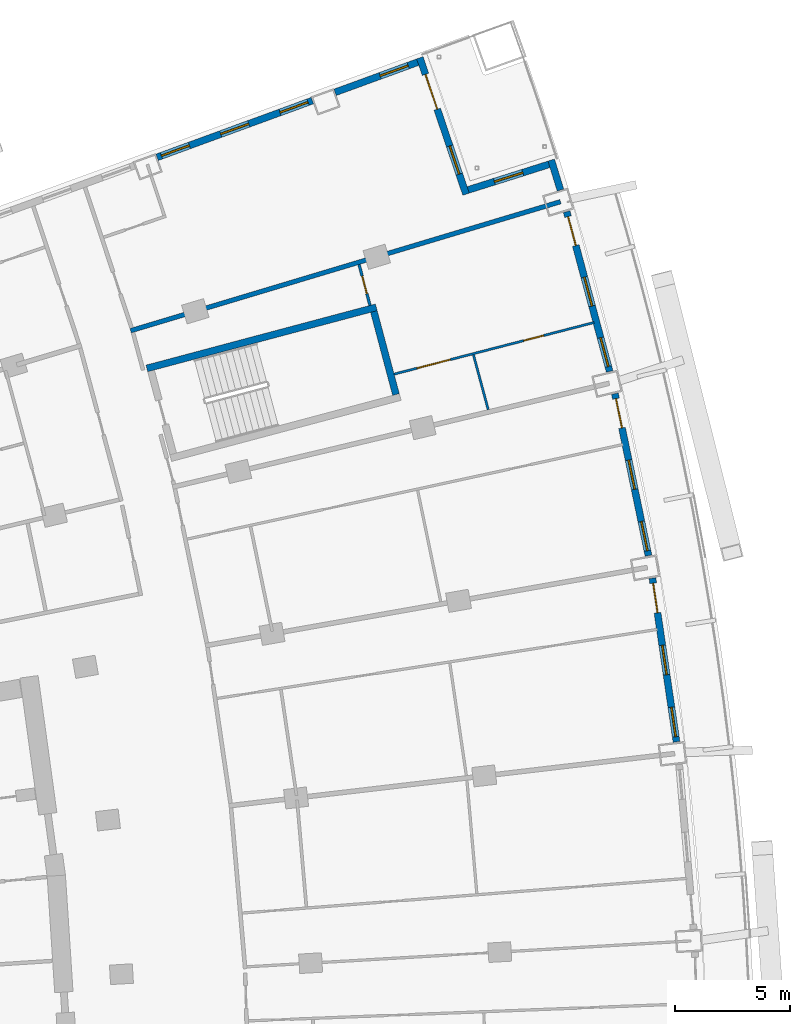
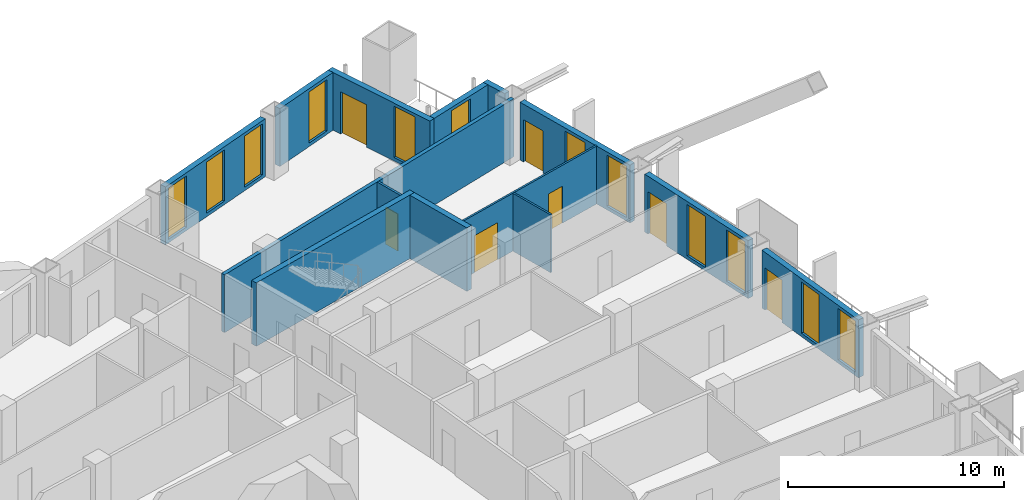
# One storey, part 21 of 25: 14 walls, 12 windows, 7 doors, 19 openings.
"""IFC4 building model written with IfcOpenShell, lengths in metres."""

from ifc_helpers import new_model, si_unit, direction, frame, frame_2d, origin, place, context, subcontext, project, spatial, rectangle, extrude, material, layer, layer_set, type_object, element, fill, save


model = new_model("IFC4")

# Units and contexts
model_context = context("Model", 3, precision=1e-05, world=origin(), true_north=direction((0.0, 1.0)))
body_context = subcontext(model_context, "Body", "Model", "MODEL_VIEW")
ifc_project = project(units=[si_unit("LENGTHUNIT", "METRE"), si_unit("AREAUNIT", "SQUARE_METRE"), si_unit("VOLUMEUNIT", "CUBIC_METRE"), si_unit("PLANEANGLEUNIT", "RADIAN"), si_unit("MASSUNIT", "GRAM", prefix="KILO")], contexts=[model_context])

# Site, building, storey
site_placement = place(None, origin())
site = spatial("IfcSite", under=ifc_project, at=site_placement, CompositionType="ELEMENT")
building_placement = place(site_placement, origin())
building = spatial("IfcBuilding", under=site, at=building_placement, Name="Alderwake Tower", CompositionType="ELEMENT")
storey_placement = place(building_placement, frame((0.0, 0.0, 114.800048828125)))
storey = spatial("IfcBuildingStorey", under=building, at=storey_placement, Name="L28", CompositionType="ELEMENT", Elevation=114.800048828125)

# Walls
ifc_material_1 = material(Name="Concrete C70/85", Category="concrete")
ifc_layer_1 = layer(ifc_material_1, 0.300048828125)
ifc_layer_set_1 = layer_set([ifc_layer_1], Name="Core wall stair enclosure 300 C70-85")
wall_type_1 = type_object("IfcWallType", Name="Core wall stair enclosure 300 C70-85", PredefinedType="SHEAR", material=ifc_layer_set_1)
wall_1_placement = place(storey_placement, frame((36.71142578125, 94.182373046875, 0.0), z_axis=(0.0, 0.0, 1.0), x_axis=(0.966309214305, 0.257383958996, 0.0)))
element("IfcWall", 1, at=wall_1_placement, inside=storey, type_object=wall_type_1, Name="Core wall CW.082", PredefinedType="SHEAR", context=body_context, shape_type="SweptSolid", body=[
    extrude(rectangle(XDim=10.360107421875, YDim=0.300048828125, at=frame_2d((5.18017578125, 0.0))), origin(), (0.0, 0.0, 1.0), 3.599853515625),
])
wall_2_placement = place(storey_placement, frame((47.581298828125, 93.041748046875, 0.0), z_axis=(0.0, 0.0, 1.0), x_axis=(-0.257366821694, 0.966313778796, 0.0)))
element("IfcWall", 2, at=wall_2_placement, inside=storey, type_object=wall_type_1, Name="Core wall CW.081", PredefinedType="SHEAR", context=body_context, shape_type="SweptSolid", body=[
    extrude(rectangle(XDim=3.749755859375, YDim=0.300048828125, at=frame_2d((1.875, 0.0))), origin(), (0.0, 0.0, 1.0), 3.599853515625),
])

# Wall, openings, door, windows
ifc_material_2 = material(Name="Precast concrete C50/60 spandrel panel", Category="concrete")
ifc_layer_2 = layer(ifc_material_2, 0.300048828125)
ifc_layer_set_2 = layer_set([ifc_layer_2], Name="External wall EW1 Precast concrete C50/60 spandrel")
wall_type_2 = type_object("IfcWallType", Name="External wall EW1 Precast concrete C50/60 spandrel", PredefinedType="SOLIDWALL", material=ifc_layer_set_2)
wall_3_placement = place(storey_placement, frame((59.820068359375, 77.888916015625, 0.0), z_axis=(0.0, 0.0, 1.0), x_axis=(-0.145322588421, 0.989384326384, 0.0)))
wall_3 = element("IfcWall", 3, at=wall_3_placement, inside=storey, type_object=wall_type_2, Name="External wall 19", PredefinedType="SOLIDWALL", context=body_context, shape_type="SweptSolid", body=[
    extrude(rectangle(XDim=7.21728515625, YDim=0.300048828125, at=frame_2d((3.608642578125, 0.0))), origin(), (0.0, 0.0, 1.0), 3.280029296875),
])
opening_1_placement = place(wall_3_placement, frame((0.22509765625, 0.0, 0.199951171875)))
opening_1 = element("IfcOpeningElement", 4, at=opening_1_placement, cuts=wall_3, Name="Opening W1", PredefinedType="OPENING", context=body_context, shape_type="SweptSolid", body=[
    extrude(rectangle(XDim=1.300048828125, YDim=2.89990234375, at=frame_2d((0.64990234375, 1.449951171875))), frame((0.0, 0.159912109375, 0.0), z_axis=(0.0, -1.0, 0.0), x_axis=(1.0, 0.0, 0.0)), (0.0, 0.0, 1.0), 0.320068359375),
])
opening_2_placement = place(wall_3_placement, frame((2.958740234375, 0.0, 0.199951171875)))
opening_2 = element("IfcOpeningElement", 5, at=opening_2_placement, cuts=wall_3, Name="Opening W1", PredefinedType="OPENING", context=body_context, shape_type="SweptSolid", body=[
    extrude(rectangle(XDim=1.300048828125, YDim=2.89990234375, at=frame_2d((0.64990234375, 1.449951171875))), frame((0.0, 0.159912109375, 0.0), z_axis=(0.0, -1.0, 0.0), x_axis=(1.0, 0.0, 0.0)), (0.0, 0.0, 1.0), 0.320068359375),
])
opening_3_placement = place(wall_3_placement, frame((5.692138671875, 0.0, 0.0)))
opening_3 = element("IfcOpeningElement", 6, at=opening_3_placement, cuts=wall_3, Name="Opening D10", PredefinedType="OPENING", context=body_context, shape_type="SweptSolid", body=[
    extrude(rectangle(XDim=1.300048828125, YDim=2.39990234375, at=frame_2d((0.64990234375, 1.199951171875))), frame((0.0, 0.159912109375, 0.0), z_axis=(0.0, -1.0, 0.0), x_axis=(1.0, 0.0, 0.0)), (0.0, 0.0, 1.0), 0.320068359375),
])
ifc_material_3 = material(Name="Bronze tinted glass in aluminium frame", Category="aluminium")
door_type_1 = type_object("IfcDoorType", Name="Balcony door BD sliding", OperationType="SLIDING_TO_LEFT", PredefinedType="DOOR", material=ifc_material_3)
door_1_placement = place(opening_3_placement, origin())
door_1 = element("IfcDoor", 7, at=door_1_placement, inside=storey, type_object=door_type_1, Name="Door D10", OperationType="SLIDING_TO_LEFT", OverallHeight=2.39990234375, OverallWidth=1.300048828125, PredefinedType="DOOR", context=body_context, shape_type="SweptSolid", body=[
    extrude(rectangle(XDim=1.300048828125, YDim=2.39990234375, at=frame_2d((0.64990234375, 1.199951171875))), frame((0.0, 0.02490234375, 0.0), z_axis=(0.0, -1.0, 0.0), x_axis=(1.0, 0.0, 0.0)), (0.0, 0.0, 1.0), 0.050048828125),
])
fill(opening_3, door_1)
ifc_material_4 = material(Name="Bronze tinted glass in aluminium frame", Category="aluminium")
window_type = type_object("IfcWindowType", Name="Window W1 tall fixed and vent", PartitioningType="DOUBLE_PANEL_VERTICAL", PredefinedType="WINDOW", material=ifc_material_4)
window_1_placement = place(opening_1_placement, origin())
window_1 = element("IfcWindow", 8, at=window_1_placement, inside=storey, type_object=window_type, Name="Window W1 tall fixed and vent", OverallHeight=2.89990234375, OverallWidth=1.300048828125, PartitioningType="DOUBLE_PANEL_VERTICAL", PredefinedType="WINDOW", context=body_context, shape_type="SweptSolid", body=[
    extrude(rectangle(XDim=1.300048828125, YDim=2.89990234375, at=frame_2d((0.64990234375, 1.449951171875))), frame((0.0, 0.030029296875, 0.0), z_axis=(0.0, -1.0, 0.0), x_axis=(1.0, 0.0, 0.0)), (0.0, 0.0, 1.0), 0.06005859375),
])
fill(opening_1, window_1)
window_2_placement = place(opening_2_placement, origin())
window_2 = element("IfcWindow", 9, at=window_2_placement, inside=storey, type_object=window_type, Name="Window W1 tall fixed and vent", OverallHeight=2.89990234375, OverallWidth=1.300048828125, PartitioningType="DOUBLE_PANEL_VERTICAL", PredefinedType="WINDOW", context=body_context, shape_type="SweptSolid", body=[
    extrude(rectangle(XDim=1.300048828125, YDim=2.89990234375, at=frame_2d((0.64990234375, 1.449951171875))), frame((0.0, 0.030029296875, 0.0), z_axis=(0.0, -1.0, 0.0), x_axis=(1.0, 0.0, 0.0)), (0.0, 0.0, 1.0), 0.06005859375),
])
fill(opening_2, window_2)

wall_4_placement = place(storey_placement, frame((58.59765625, 86.01171875, 0.0), z_axis=(0.0, 0.0, 1.0), x_axis=(-0.202759964429, 0.979228470187, 0.0)))
wall_4 = element("IfcWall", 10, at=wall_4_placement, inside=storey, type_object=wall_type_2, Name="External wall 20", PredefinedType="SOLIDWALL", context=body_context, shape_type="SweptSolid", body=[
    extrude(rectangle(XDim=7.21728515625, YDim=0.300048828125, at=frame_2d((3.608642578125, 0.0))), origin(), (0.0, 0.0, 1.0), 3.280029296875),
])
opening_4_placement = place(wall_4_placement, frame((0.22509765625, 0.0, 0.199951171875)))
opening_4 = element("IfcOpeningElement", 11, at=opening_4_placement, cuts=wall_4, Name="Opening W1", PredefinedType="OPENING", context=body_context, shape_type="SweptSolid", body=[
    extrude(rectangle(XDim=1.300048828125, YDim=2.89990234375, at=frame_2d((0.64990234375, 1.449951171875))), frame((0.0, 0.159912109375, 0.0), z_axis=(0.0, -1.0, 0.0), x_axis=(1.0, 0.0, 0.0)), (0.0, 0.0, 1.0), 0.320068359375),
])
opening_5_placement = place(wall_4_placement, frame((2.958740234375, 0.0, 0.199951171875)))
opening_5 = element("IfcOpeningElement", 12, at=opening_5_placement, cuts=wall_4, Name="Opening W1", PredefinedType="OPENING", context=body_context, shape_type="SweptSolid", body=[
    extrude(rectangle(XDim=1.300048828125, YDim=2.89990234375, at=frame_2d((0.64990234375, 1.449951171875))), frame((0.0, 0.159912109375, 0.0), z_axis=(0.0, -1.0, 0.0), x_axis=(1.0, 0.0, 0.0)), (0.0, 0.0, 1.0), 0.320068359375),
])
opening_6_placement = place(wall_4_placement, frame((5.692138671875, 0.0, 0.0)))
opening_6 = element("IfcOpeningElement", 13, at=opening_6_placement, cuts=wall_4, Name="Opening D11", PredefinedType="OPENING", context=body_context, shape_type="SweptSolid", body=[
    extrude(rectangle(XDim=1.300048828125, YDim=2.39990234375, at=frame_2d((0.64990234375, 1.199951171875))), frame((0.0, 0.159912109375, 0.0), z_axis=(0.0, -1.0, 0.0), x_axis=(1.0, 0.0, 0.0)), (0.0, 0.0, 1.0), 0.320068359375),
])
door_2_placement = place(opening_6_placement, origin())
door_2 = element("IfcDoor", 14, at=door_2_placement, inside=storey, type_object=door_type_1, Name="Door D11", OperationType="SLIDING_TO_LEFT", OverallHeight=2.39990234375, OverallWidth=1.300048828125, PredefinedType="DOOR", context=body_context, shape_type="SweptSolid", body=[
    extrude(rectangle(XDim=1.300048828125, YDim=2.39990234375, at=frame_2d((0.64990234375, 1.199951171875))), frame((0.0, 0.02490234375, 0.0), z_axis=(0.0, -1.0, 0.0), x_axis=(1.0, 0.0, 0.0)), (0.0, 0.0, 1.0), 0.050048828125),
])
fill(opening_6, door_2)
window_3_placement = place(opening_4_placement, origin())
window_3 = element("IfcWindow", 15, at=window_3_placement, inside=storey, type_object=window_type, Name="Window W1 tall fixed and vent", OverallHeight=2.89990234375, OverallWidth=1.300048828125, PartitioningType="DOUBLE_PANEL_VERTICAL", PredefinedType="WINDOW", context=body_context, shape_type="SweptSolid", body=[
    extrude(rectangle(XDim=1.300048828125, YDim=2.89990234375, at=frame_2d((0.64990234375, 1.449951171875))), frame((0.0, 0.030029296875, 0.0), z_axis=(0.0, -1.0, 0.0), x_axis=(1.0, 0.0, 0.0)), (0.0, 0.0, 1.0), 0.06005859375),
])
fill(opening_4, window_3)
window_4_placement = place(opening_5_placement, origin())
window_4 = element("IfcWindow", 16, at=window_4_placement, inside=storey, type_object=window_type, Name="Window W1 tall fixed and vent", OverallHeight=2.89990234375, OverallWidth=1.300048828125, PartitioningType="DOUBLE_PANEL_VERTICAL", PredefinedType="WINDOW", context=body_context, shape_type="SweptSolid", body=[
    extrude(rectangle(XDim=1.300048828125, YDim=2.89990234375, at=frame_2d((0.64990234375, 1.449951171875))), frame((0.0, 0.030029296875, 0.0), z_axis=(0.0, -1.0, 0.0), x_axis=(1.0, 0.0, 0.0)), (0.0, 0.0, 1.0), 0.06005859375),
])
fill(opening_5, window_4)

wall_5_placement = place(storey_placement, frame((56.90380859375, 94.04931640625, 0.0), z_axis=(0.0, 0.0, 1.0), x_axis=(-0.259514900315, 0.965739103751, 0.0)))
wall_5 = element("IfcWall", 17, at=wall_5_placement, inside=storey, type_object=wall_type_2, Name="External wall 21", PredefinedType="SOLIDWALL", context=body_context, shape_type="SweptSolid", body=[
    extrude(rectangle(XDim=7.217529296875, YDim=0.300048828125, at=frame_2d((3.60888671875, 0.0))), origin(), (0.0, 0.0, 1.0), 3.280029296875),
])
opening_7_placement = place(wall_5_placement, frame((0.22509765625, 0.0, 0.199951171875)))
opening_7 = element("IfcOpeningElement", 18, at=opening_7_placement, cuts=wall_5, Name="Opening W1", PredefinedType="OPENING", context=body_context, shape_type="SweptSolid", body=[
    extrude(rectangle(XDim=1.300048828125, YDim=2.89990234375, at=frame_2d((0.64990234375, 1.449951171875))), frame((0.0, 0.159912109375, 0.0), z_axis=(0.0, -1.0, 0.0), x_axis=(1.0, 0.0, 0.0)), (0.0, 0.0, 1.0), 0.320068359375),
])
opening_8_placement = place(wall_5_placement, frame((2.958740234375, 0.0, 0.199951171875)))
opening_8 = element("IfcOpeningElement", 19, at=opening_8_placement, cuts=wall_5, Name="Opening W1", PredefinedType="OPENING", context=body_context, shape_type="SweptSolid", body=[
    extrude(rectangle(XDim=1.300048828125, YDim=2.89990234375, at=frame_2d((0.64990234375, 1.449951171875))), frame((0.0, 0.159912109375, 0.0), z_axis=(0.0, -1.0, 0.0), x_axis=(1.0, 0.0, 0.0)), (0.0, 0.0, 1.0), 0.320068359375),
])
opening_9_placement = place(wall_5_placement, frame((5.692138671875, 0.0, 0.0)))
opening_9 = element("IfcOpeningElement", 20, at=opening_9_placement, cuts=wall_5, Name="Opening D12", PredefinedType="OPENING", context=body_context, shape_type="SweptSolid", body=[
    extrude(rectangle(XDim=1.300048828125, YDim=2.39990234375, at=frame_2d((0.64990234375, 1.199951171875))), frame((0.0, 0.159912109375, 0.0), z_axis=(0.0, -1.0, 0.0), x_axis=(1.0, 0.0, 0.0)), (0.0, 0.0, 1.0), 0.320068359375),
])
door_3_placement = place(opening_9_placement, origin())
door_3 = element("IfcDoor", 21, at=door_3_placement, inside=storey, type_object=door_type_1, Name="Door D12", OperationType="SLIDING_TO_LEFT", OverallHeight=2.39990234375, OverallWidth=1.300048828125, PredefinedType="DOOR", context=body_context, shape_type="SweptSolid", body=[
    extrude(rectangle(XDim=1.300048828125, YDim=2.39990234375, at=frame_2d((0.64990234375, 1.199951171875))), frame((0.0, 0.02490234375, 0.0), z_axis=(0.0, -1.0, 0.0), x_axis=(1.0, 0.0, 0.0)), (0.0, 0.0, 1.0), 0.050048828125),
])
fill(opening_9, door_3)
window_5_placement = place(opening_7_placement, origin())
window_5 = element("IfcWindow", 22, at=window_5_placement, inside=storey, type_object=window_type, Name="Window W1 tall fixed and vent", OverallHeight=2.89990234375, OverallWidth=1.300048828125, PartitioningType="DOUBLE_PANEL_VERTICAL", PredefinedType="WINDOW", context=body_context, shape_type="SweptSolid", body=[
    extrude(rectangle(XDim=1.300048828125, YDim=2.89990234375, at=frame_2d((0.64990234375, 1.449951171875))), frame((0.0, 0.030029296875, 0.0), z_axis=(0.0, -1.0, 0.0), x_axis=(1.0, 0.0, 0.0)), (0.0, 0.0, 1.0), 0.06005859375),
])
fill(opening_7, window_5)
window_6_placement = place(opening_8_placement, origin())
window_6 = element("IfcWindow", 23, at=window_6_placement, inside=storey, type_object=window_type, Name="Window W1 tall fixed and vent", OverallHeight=2.89990234375, OverallWidth=1.300048828125, PartitioningType="DOUBLE_PANEL_VERTICAL", PredefinedType="WINDOW", context=body_context, shape_type="SweptSolid", body=[
    extrude(rectangle(XDim=1.300048828125, YDim=2.89990234375, at=frame_2d((0.64990234375, 1.449951171875))), frame((0.0, 0.030029296875, 0.0), z_axis=(0.0, -1.0, 0.0), x_axis=(1.0, 0.0, 0.0)), (0.0, 0.0, 1.0), 0.06005859375),
])
fill(opening_8, window_6)

# Wall
wall_6_placement = place(storey_placement, frame((54.759521484375, 101.9609375, 0.0), z_axis=(0.0, 0.0, 1.0), x_axis=(-0.294435661299, 0.955671304035, 0.0)))
element("IfcWall", 24, at=wall_6_placement, inside=storey, type_object=wall_type_2, Name="External wall 22", PredefinedType="SOLIDWALL", context=body_context, shape_type="SweptSolid", body=[
    extrude(rectangle(XDim=1.373046875, YDim=0.300048828125, at=frame_2d((0.6865234375, 0.0))), origin(), (0.0, 0.0, 1.0), 3.280029296875),
])

# Wall, opening, window
ifc_material_5 = material(Name="Bronze metal cladding on lightweight framing")
ifc_layer_3 = layer(ifc_material_5, 0.300048828125)
ifc_layer_set_3 = layer_set([ifc_layer_3], Name="External wall EW2 bronze metal cladding")
wall_type_3 = type_object("IfcWallType", Name="External wall EW2 bronze metal cladding", PredefinedType="SOLIDWALL", material=ifc_layer_set_3)
wall_7_placement = place(storey_placement, frame((54.25634765625, 103.08447265625, 0.0), z_axis=(0.0, 0.0, 1.0), x_axis=(-0.953466730622, -0.301498248083, 0.0)))
wall_7 = element("IfcWall", 25, at=wall_7_placement, inside=storey, type_object=wall_type_3, Name="External wall 23", PredefinedType="SOLIDWALL", context=body_context, shape_type="SweptSolid", body=[
    extrude(rectangle(XDim=3.694091796875, YDim=0.300048828125, at=frame_2d((1.84716796875, 0.0))), origin(), (0.0, 0.0, 1.0), 3.280029296875),
])
opening_10_placement = place(wall_7_placement, frame((1.197021484375, 0.0, 0.199951171875)))
opening_10 = element("IfcOpeningElement", 26, at=opening_10_placement, cuts=wall_7, Name="Opening W1", PredefinedType="OPENING", context=body_context, shape_type="SweptSolid", body=[
    extrude(rectangle(XDim=1.300048828125, YDim=2.89990234375, at=frame_2d((0.64990234375, 1.449951171875))), frame((0.0, 0.159912109375, 0.0), z_axis=(0.0, -1.0, 0.0), x_axis=(1.0, 0.0, 0.0)), (0.0, 0.0, 1.0), 0.320068359375),
])
window_7_placement = place(opening_10_placement, origin())
window_7 = element("IfcWindow", 27, at=window_7_placement, inside=storey, type_object=window_type, Name="Window W1 tall fixed and vent", OverallHeight=2.89990234375, OverallWidth=1.300048828125, PartitioningType="DOUBLE_PANEL_VERTICAL", PredefinedType="WINDOW", context=body_context, shape_type="SweptSolid", body=[
    extrude(rectangle(XDim=1.300048828125, YDim=2.89990234375, at=frame_2d((0.64990234375, 1.449951171875))), frame((0.0, 0.030029296875, 0.0), z_axis=(0.0, -1.0, 0.0), x_axis=(1.0, 0.0, 0.0)), (0.0, 0.0, 1.0), 0.06005859375),
])
fill(opening_10, window_7)

# Wall, openings, door, window
wall_8_placement = place(storey_placement, frame((50.63916015625, 101.783447265625, 0.0), z_axis=(0.0, 0.0, 1.0), x_axis=(-0.320895814133, 0.947114500191, 0.0)))
wall_8 = element("IfcWall", 28, at=wall_8_placement, inside=storey, type_object=wall_type_3, Name="External wall 24", PredefinedType="SOLIDWALL", context=body_context, shape_type="SweptSolid", body=[
    extrude(rectangle(XDim=6.28662109375, YDim=0.300048828125, at=frame_2d((3.143310546875, 0.0))), origin(), (0.0, 0.0, 1.0), 3.280029296875),
])
opening_11_placement = place(wall_8_placement, frame((0.921630859375, 0.0, 0.199951171875)))
opening_11 = element("IfcOpeningElement", 29, at=opening_11_placement, cuts=wall_8, Name="Opening W1", PredefinedType="OPENING", context=body_context, shape_type="SweptSolid", body=[
    extrude(rectangle(XDim=1.300048828125, YDim=2.89990234375, at=frame_2d((0.64990234375, 1.449951171875))), frame((0.0, 0.159912109375, 0.0), z_axis=(0.0, -1.0, 0.0), x_axis=(1.0, 0.0, 0.0)), (0.0, 0.0, 1.0), 0.320068359375),
])
opening_12_placement = place(wall_8_placement, frame((3.9150390625, 0.0, 0.0)))
opening_12 = element("IfcOpeningElement", 30, at=opening_12_placement, cuts=wall_8, Name="Opening D13", PredefinedType="OPENING", context=body_context, shape_type="SweptSolid", body=[
    extrude(rectangle(XDim=1.60009765625, YDim=2.39990234375, at=frame_2d((0.800048828125, 1.199951171875))), frame((0.0, 0.159912109375, 0.0), z_axis=(0.0, -1.0, 0.0), x_axis=(1.0, 0.0, 0.0)), (0.0, 0.0, 1.0), 0.320068359375),
])
ifc_material_6 = material(Name="Bronze tinted glass in aluminium frame", Category="aluminium")
door_type_2 = type_object("IfcDoorType", Name="Terrace door TD sliding", OperationType="SLIDING_TO_LEFT", PredefinedType="DOOR", material=ifc_material_6)
door_4_placement = place(opening_12_placement, origin())
door_4 = element("IfcDoor", 31, at=door_4_placement, inside=storey, type_object=door_type_2, Name="Door D13", OperationType="SLIDING_TO_LEFT", OverallHeight=2.39990234375, OverallWidth=1.60009765625, PredefinedType="DOOR", context=body_context, shape_type="SweptSolid", body=[
    extrude(rectangle(XDim=1.60009765625, YDim=2.39990234375, at=frame_2d((0.800048828125, 1.199951171875))), frame((0.0, 0.02490234375, 0.0), z_axis=(0.0, -1.0, 0.0), x_axis=(1.0, 0.0, 0.0)), (0.0, 0.0, 1.0), 0.050048828125),
])
fill(opening_12, door_4)
window_8_placement = place(opening_11_placement, origin())
window_8 = element("IfcWindow", 32, at=window_8_placement, inside=storey, type_object=window_type, Name="Window W1 tall fixed and vent", OverallHeight=2.89990234375, OverallWidth=1.300048828125, PartitioningType="DOUBLE_PANEL_VERTICAL", PredefinedType="WINDOW", context=body_context, shape_type="SweptSolid", body=[
    extrude(rectangle(XDim=1.300048828125, YDim=2.89990234375, at=frame_2d((0.64990234375, 1.449951171875))), frame((0.0, 0.030029296875, 0.0), z_axis=(0.0, -1.0, 0.0), x_axis=(1.0, 0.0, 0.0)), (0.0, 0.0, 1.0), 0.06005859375),
])
fill(opening_11, window_8)

# Wall, opening, window
wall_9_placement = place(storey_placement, frame((48.529052734375, 107.544189453125, 0.0), z_axis=(0.0, 0.0, 1.0), x_axis=(-0.939372933228, -0.342897203718, 0.0)))
wall_9 = element("IfcWall", 33, at=wall_9_placement, inside=storey, type_object=wall_type_3, Name="External wall 25", PredefinedType="SOLIDWALL", context=body_context, shape_type="SweptSolid", body=[
    extrude(rectangle(XDim=3.837646484375, YDim=0.300048828125, at=frame_2d((1.9189453125, 0.0))), origin(), (0.0, 0.0, 1.0), 3.280029296875),
])
opening_13_placement = place(wall_9_placement, frame((0.441162109375, 0.0, 0.199951171875)))
opening_13 = element("IfcOpeningElement", 34, at=opening_13_placement, cuts=wall_9, Name="Opening W1", PredefinedType="OPENING", context=body_context, shape_type="SweptSolid", body=[
    extrude(rectangle(XDim=1.300048828125, YDim=2.89990234375, at=frame_2d((0.64990234375, 1.449951171875))), frame((0.0, 0.159912109375, 0.0), z_axis=(0.0, -1.0, 0.0), x_axis=(1.0, 0.0, 0.0)), (0.0, 0.0, 1.0), 0.320068359375),
])
window_9_placement = place(opening_13_placement, origin())
window_9 = element("IfcWindow", 35, at=window_9_placement, inside=storey, type_object=window_type, Name="Window W1 tall fixed and vent", OverallHeight=2.89990234375, OverallWidth=1.300048828125, PartitioningType="DOUBLE_PANEL_VERTICAL", PredefinedType="WINDOW", context=body_context, shape_type="SweptSolid", body=[
    extrude(rectangle(XDim=1.300048828125, YDim=2.89990234375, at=frame_2d((0.64990234375, 1.449951171875))), frame((0.0, 0.030029296875, 0.0), z_axis=(0.0, -1.0, 0.0), x_axis=(1.0, 0.0, 0.0)), (0.0, 0.0, 1.0), 0.06005859375),
])
fill(opening_13, window_9)

# Wall, openings, windows
wall_10_placement = place(storey_placement, frame((43.93408203125, 105.866943359375, 0.0), z_axis=(0.0, 0.0, 1.0), x_axis=(-0.939364762064, -0.342919587939, 0.0)))
wall_10 = element("IfcWall", 36, at=wall_10_placement, inside=storey, type_object=wall_type_3, Name="External wall 26", PredefinedType="SOLIDWALL", context=body_context, shape_type="SweptSolid", body=[
    extrude(rectangle(XDim=7.212646484375, YDim=0.300048828125, at=frame_2d((3.6064453125, 0.0))), origin(), (0.0, 0.0, 1.0), 3.280029296875),
])
opening_14_placement = place(wall_10_placement, frame((0.200927734375, 0.0, 0.199951171875)))
opening_14 = element("IfcOpeningElement", 37, at=opening_14_placement, cuts=wall_10, Name="Opening W1", PredefinedType="OPENING", context=body_context, shape_type="SweptSolid", body=[
    extrude(rectangle(XDim=1.300048828125, YDim=2.89990234375, at=frame_2d((0.64990234375, 1.449951171875))), frame((0.0, 0.159912109375, 0.0), z_axis=(0.0, -1.0, 0.0), x_axis=(1.0, 0.0, 0.0)), (0.0, 0.0, 1.0), 0.320068359375),
])
opening_15_placement = place(wall_10_placement, frame((2.95654296875, 0.0, 0.199951171875)))
opening_15 = element("IfcOpeningElement", 38, at=opening_15_placement, cuts=wall_10, Name="Opening W1", PredefinedType="OPENING", context=body_context, shape_type="SweptSolid", body=[
    extrude(rectangle(XDim=1.300048828125, YDim=2.89990234375, at=frame_2d((0.64990234375, 1.449951171875))), frame((0.0, 0.159912109375, 0.0), z_axis=(0.0, -1.0, 0.0), x_axis=(1.0, 0.0, 0.0)), (0.0, 0.0, 1.0), 0.320068359375),
])
opening_16_placement = place(wall_10_placement, frame((5.712158203125, 0.0, 0.199951171875)))
opening_16 = element("IfcOpeningElement", 39, at=opening_16_placement, cuts=wall_10, Name="Opening W1", PredefinedType="OPENING", context=body_context, shape_type="SweptSolid", body=[
    extrude(rectangle(XDim=1.300048828125, YDim=2.89990234375, at=frame_2d((0.64990234375, 1.449951171875))), frame((0.0, 0.159912109375, 0.0), z_axis=(0.0, -1.0, 0.0), x_axis=(1.0, 0.0, 0.0)), (0.0, 0.0, 1.0), 0.320068359375),
])
window_10_placement = place(opening_14_placement, origin())
window_10 = element("IfcWindow", 40, at=window_10_placement, inside=storey, type_object=window_type, Name="Window W1 tall fixed and vent", OverallHeight=2.89990234375, OverallWidth=1.300048828125, PartitioningType="DOUBLE_PANEL_VERTICAL", PredefinedType="WINDOW", context=body_context, shape_type="SweptSolid", body=[
    extrude(rectangle(XDim=1.300048828125, YDim=2.89990234375, at=frame_2d((0.64990234375, 1.449951171875))), frame((0.0, 0.030029296875, 0.0), z_axis=(0.0, -1.0, 0.0), x_axis=(1.0, 0.0, 0.0)), (0.0, 0.0, 1.0), 0.06005859375),
])
fill(opening_14, window_10)
window_11_placement = place(opening_15_placement, origin())
window_11 = element("IfcWindow", 41, at=window_11_placement, inside=storey, type_object=window_type, Name="Window W1 tall fixed and vent", OverallHeight=2.89990234375, OverallWidth=1.300048828125, PartitioningType="DOUBLE_PANEL_VERTICAL", PredefinedType="WINDOW", context=body_context, shape_type="SweptSolid", body=[
    extrude(rectangle(XDim=1.300048828125, YDim=2.89990234375, at=frame_2d((0.64990234375, 1.449951171875))), frame((0.0, 0.030029296875, 0.0), z_axis=(0.0, -1.0, 0.0), x_axis=(1.0, 0.0, 0.0)), (0.0, 0.0, 1.0), 0.06005859375),
])
fill(opening_15, window_11)
window_12_placement = place(opening_16_placement, origin())
window_12 = element("IfcWindow", 42, at=window_12_placement, inside=storey, type_object=window_type, Name="Window W1 tall fixed and vent", OverallHeight=2.89990234375, OverallWidth=1.300048828125, PartitioningType="DOUBLE_PANEL_VERTICAL", PredefinedType="WINDOW", context=body_context, shape_type="SweptSolid", body=[
    extrude(rectangle(XDim=1.300048828125, YDim=2.89990234375, at=frame_2d((0.64990234375, 1.449951171875))), frame((0.0, 0.030029296875, 0.0), z_axis=(0.0, -1.0, 0.0), x_axis=(1.0, 0.0, 0.0)), (0.0, 0.0, 1.0), 0.06005859375),
])
fill(opening_16, window_12)

# Wall
ifc_material_7 = material(Name="Dense block masonry wall", Category="masonry")
ifc_layer_4 = layer(ifc_material_7, 0.199951171875)
ifc_layer_set_4 = layer_set([ifc_layer_4], Name="Party wall 200")
wall_type_4 = type_object("IfcWallType", Name="Party wall 200", PredefinedType="SOLIDWALL", material=ifc_layer_set_4)
wall_11_placement = place(storey_placement, frame((54.759033203125, 101.45703125, 0.0), z_axis=(0.0, 0.0, 1.0), x_axis=(-0.957773766673, -0.287522889302, 0.0)))
element("IfcWall", 43, at=wall_11_placement, inside=storey, type_object=wall_type_4, Name="WL/L28/W09", PredefinedType="SOLIDWALL", context=body_context, shape_type="SweptSolid", body=[
    extrude(rectangle(XDim=19.58154296875, YDim=0.199951171875, at=frame_2d((9.790771484375, 0.0))), origin(), (0.0, 0.0, 1.0), 3.280029296875),
])

# Wall, openings, doors
ifc_material_8 = material(Name="Gypsum board on metal studs")
ifc_layer_5 = layer(ifc_material_8, 0.10009765625)
ifc_layer_set_5 = layer_set([ifc_layer_5], Name="Unit partition 100")
wall_type_5 = type_object("IfcWallType", Name="Unit partition 100", PredefinedType="PARTITIONING", material=ifc_layer_set_5)
wall_12_placement = place(storey_placement, frame((47.4990234375, 93.93310546875, 0.0), z_axis=(0.0, 0.0, 1.0), x_axis=(0.968256179077, 0.249959940148, 0.0)))
wall_12 = element("IfcWall", 44, at=wall_12_placement, inside=storey, type_object=wall_type_5, Name="WL/L28/W77", PredefinedType="PARTITIONING", context=body_context, shape_type="SweptSolid", body=[
    extrude(rectangle(XDim=9.01318359375, YDim=0.10009765625, at=frame_2d((4.506591796875, 0.0))), origin(), (0.0, 0.0, 1.0), 3.280029296875),
])
opening_17_placement = place(wall_12_placement, frame((1.03173828125, 0.0, 0.0)))
opening_17 = element("IfcOpeningElement", 45, at=opening_17_placement, cuts=wall_12, Name="Opening R08-U02.2", PredefinedType="OPENING", context=body_context, shape_type="SweptSolid", body=[
    extrude(rectangle(XDim=1.5, YDim=2.10009765625, at=frame_2d((0.75, 1.050048828125))), frame((0.0, 0.06005859375, 0.0), z_axis=(0.0, -1.0, 0.0), x_axis=(1.0, 0.0, 0.0)), (0.0, 0.0, 1.0), 0.1201171875),
])
opening_18_placement = place(wall_12_placement, frame((5.838134765625, 0.0, 0.0)))
opening_18 = element("IfcOpeningElement", 46, at=opening_18_placement, cuts=wall_12, Name="Opening R08-U02.3", PredefinedType="OPENING", context=body_context, shape_type="SweptSolid", body=[
    extrude(rectangle(XDim=0.89990234375, YDim=2.10009765625, at=frame_2d((0.449951171875, 1.050048828125))), frame((0.0, 0.06005859375, 0.0), z_axis=(0.0, -1.0, 0.0), x_axis=(1.0, 0.0, 0.0)), (0.0, 0.0, 1.0), 0.1201171875),
])
ifc_material_9 = material(Name="Painted timber leaves", Category="wood")
door_type_3 = type_object("IfcDoorType", Name="Double leaf door 1500", OperationType="DOUBLE_DOOR_SINGLE_SWING", PredefinedType="DOOR", material=ifc_material_9)
door_5_placement = place(opening_17_placement, origin())
door_5 = element("IfcDoor", 47, at=door_5_placement, inside=storey, type_object=door_type_3, Name="DR/L28/U02.2", OperationType="DOUBLE_DOOR_SINGLE_SWING", OverallHeight=2.10009765625, OverallWidth=1.5, PredefinedType="DOOR", context=body_context, shape_type="SweptSolid", body=[
    extrude(rectangle(XDim=1.5, YDim=2.10009765625, at=frame_2d((0.75, 1.050048828125))), frame((0.0, 0.02490234375, 0.0), z_axis=(0.0, -1.0, 0.0), x_axis=(1.0, 0.0, 0.0)), (0.0, 0.0, 1.0), 0.050048828125),
])
fill(opening_17, door_5)
ifc_material_10 = material(Name="Painted timber leaf", Category="wood")
door_type_4 = type_object("IfcDoorType", Name="Room door 900", OperationType="SINGLE_SWING_LEFT", PredefinedType="DOOR", material=ifc_material_10)
door_6_placement = place(opening_18_placement, origin())
door_6 = element("IfcDoor", 48, at=door_6_placement, inside=storey, type_object=door_type_4, Name="DR/L28/U02.3", OperationType="SINGLE_SWING_LEFT", OverallHeight=2.10009765625, OverallWidth=0.89990234375, PredefinedType="DOOR", context=body_context, shape_type="SweptSolid", body=[
    extrude(rectangle(XDim=0.89990234375, YDim=2.10009765625, at=frame_2d((0.449951171875, 1.050048828125))), frame((0.0, 0.02490234375, 0.0), z_axis=(0.0, -1.0, 0.0), x_axis=(1.0, 0.0, 0.0)), (0.0, 0.0, 1.0), 0.050048828125),
])
fill(opening_18, door_6)

# Wall
wall_13_placement = place(storey_placement, frame((51.60693359375, 92.379638671875, 0.0), z_axis=(0.0, 0.0, 1.0), x_axis=(-0.259952302089, 0.965621458253, 0.0)))
element("IfcWall", 49, at=wall_13_placement, inside=storey, type_object=wall_type_5, Name="WL/L28/W86", PredefinedType="PARTITIONING", context=body_context, shape_type="SweptSolid", body=[
    extrude(rectangle(XDim=2.481201171875, YDim=0.10009765625, at=frame_2d((1.24072265625, 0.0))), origin(), (0.0, 0.0, 1.0), 3.280029296875),
])

# Wall, opening, door
ifc_material_11 = material(Name="Moisture resistant gypsum board on metal studs")
ifc_layer_6 = layer(ifc_material_11, 0.1201171875)
ifc_layer_set_6 = layer_set([ifc_layer_6], Name="Wet room partition 120")
wall_type_6 = type_object("IfcWallType", Name="Wet room partition 120", PredefinedType="PARTITIONING", material=ifc_layer_set_6)
wall_14_placement = place(storey_placement, frame((46.448974609375, 96.929931640625, 0.0), z_axis=(0.0, 0.0, 1.0), x_axis=(-0.258764710752, 0.965940383497, 0.0)))
wall_14 = element("IfcWall", 50, at=wall_14_placement, inside=storey, type_object=wall_type_6, Name="WL/L28/W63", PredefinedType="PARTITIONING", context=body_context, shape_type="SweptSolid", body=[
    extrude(rectangle(XDim=1.847412109375, YDim=0.1201171875, at=frame_2d((0.923828125, 0.0))), origin(), (0.0, 0.0, 1.0), 3.280029296875),
])
opening_19_placement = place(wall_14_placement, frame((0.524169921875, 0.0, 0.0)))
opening_19 = element("IfcOpeningElement", 51, at=opening_19_placement, cuts=wall_14, Name="Opening R08-U02.4", PredefinedType="OPENING", context=body_context, shape_type="SweptSolid", body=[
    extrude(rectangle(XDim=0.800048828125, YDim=2.10009765625, at=frame_2d((0.39990234375, 1.050048828125))), frame((0.0, 0.070068359375, 0.0), z_axis=(0.0, -1.0, 0.0), x_axis=(1.0, 0.0, 0.0)), (0.0, 0.0, 1.0), 0.14013671875),
])
ifc_material_12 = material(Name="Painted timber leaf", Category="wood")
door_type_5 = type_object("IfcDoorType", Name="Bathroom door 800", OperationType="SINGLE_SWING_LEFT", PredefinedType="DOOR", material=ifc_material_12)
door_7_placement = place(opening_19_placement, origin())
door_7 = element("IfcDoor", 52, at=door_7_placement, inside=storey, type_object=door_type_5, Name="DR/L28/U02.4", OperationType="SINGLE_SWING_LEFT", OverallHeight=2.10009765625, OverallWidth=0.800048828125, PredefinedType="DOOR", context=body_context, shape_type="SweptSolid", body=[
    extrude(rectangle(XDim=0.800048828125, YDim=2.10009765625, at=frame_2d((0.39990234375, 1.050048828125))), frame((0.0, 0.02490234375, 0.0), z_axis=(0.0, -1.0, 0.0), x_axis=(1.0, 0.0, 0.0)), (0.0, 0.0, 1.0), 0.050048828125),
])
fill(opening_19, door_7)

save(model, "model.ifc")
